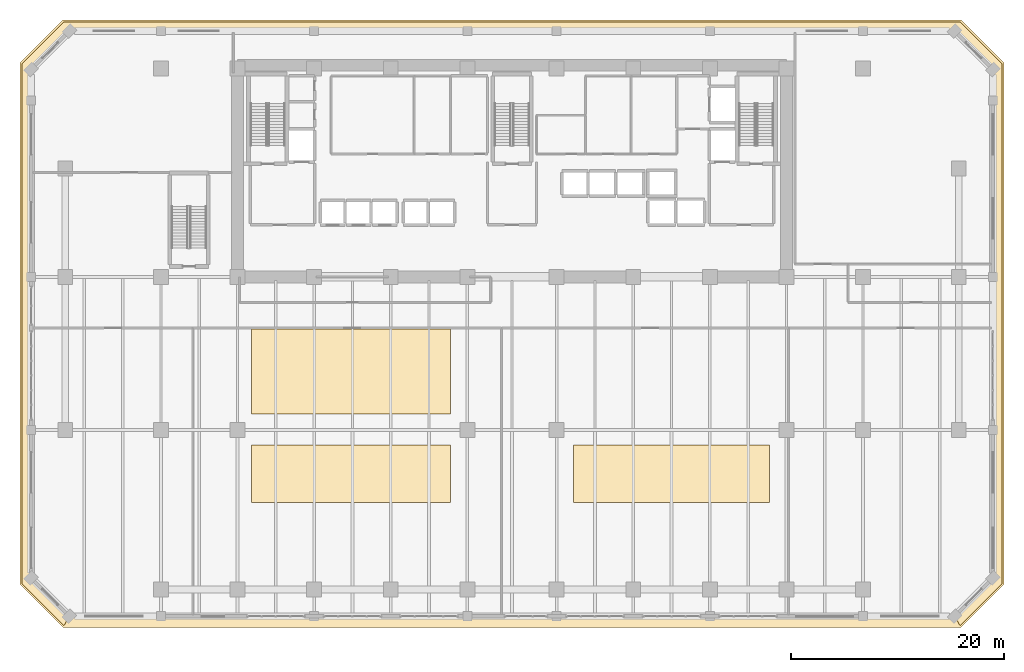
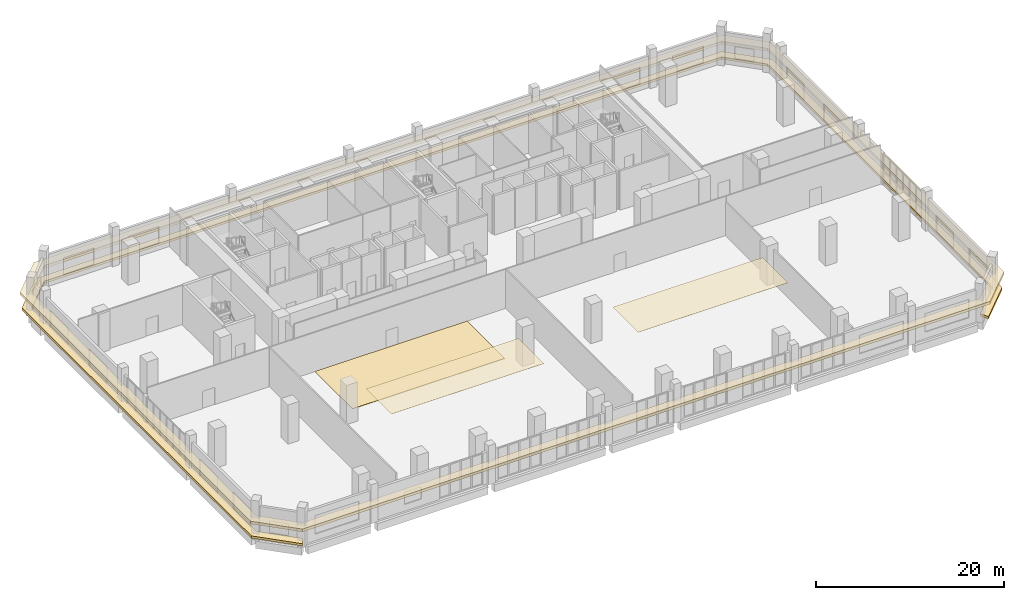
# One storey, part 23 of 25: 5 coverings.
"""IFC4 building model written with IfcOpenShell, lengths in metres."""

from ifc_helpers import new_model, si_unit, direction, frame, origin, place, context, subcontext, project, spatial, polyline, outline, extrude, material, layer, layer_set, type_object, element, save


model = new_model("IFC4")

# Units and contexts
model_context = context("Model", 3, precision=1e-05, world=origin(), true_north=direction((0.0, 1.0)))
body_context = subcontext(model_context, "Body", "Model", "MODEL_VIEW")
ifc_project = project(units=[si_unit("LENGTHUNIT", "METRE"), si_unit("AREAUNIT", "SQUARE_METRE"), si_unit("VOLUMEUNIT", "CUBIC_METRE"), si_unit("PLANEANGLEUNIT", "RADIAN"), si_unit("MASSUNIT", "GRAM", prefix="KILO")], contexts=[model_context])

# Site, building, storey
site_placement = place(None, origin())
site = spatial("IfcSite", under=ifc_project, at=site_placement, CompositionType="ELEMENT")
building_placement = place(site_placement, origin())
building = spatial("IfcBuilding", under=site, at=building_placement, Name="Kaelvorn Grand Hotel", CompositionType="ELEMENT")
storey_placement = place(building_placement, frame((0.0, 0.0, 14.0)))
storey = spatial("IfcBuildingStorey", under=building, at=storey_placement, Name="L02", CompositionType="ELEMENT", Elevation=14.0)

# Coverings
ifc_material_1 = material(Name="Precast concrete C45/55", Category="concrete")
ifc_layer_1 = layer(ifc_material_1, 0.260009765625)
ifc_layer_set_1 = layer_set([ifc_layer_1], Name="Precast concrete C45/55")
covering_type_1 = type_object("IfcCoveringType", Name="COV-BAND-STREAMLINE-HEAD", PredefinedType="CLADDING", material=ifc_layer_set_1)
covering_1_placement = place(storey_placement, frame((0.0, 0.0, 2.419921875)))
element("IfcCovering", 1, at=covering_1_placement, inside=storey, type_object=covering_type_1, Name="L02 Streamline Moderne Wraparound Horizontal Eyebrow Band", PredefinedType="CLADDING", context=body_context, shape_type="SweptSolid", body=[
    extrude(outline(polyline([(-0.2099609375, -3.550048828125), (84.2099609375, -3.550048828125), (88.25, 0.489990234375), (88.25, 49.510009765625), (84.2099609375, 53.550048828125), (-0.2099609375, 53.550048828125), (-4.25, 49.510009765625), (-4.25, 0.489990234375), (-0.2099609375, -3.550048828125)]), holes=[polyline([(0.419921875, -2.469970703125), (83.580078125, -2.469970703125), (87.169921875, 1.1201171875), (87.169921875, 48.8798828125), (83.580078125, 52.469970703125), (0.419921875, 52.469970703125), (-3.169921875, 48.8798828125), (-3.169921875, 1.1201171875), (0.419921875, -2.469970703125)])]), origin(), (0.0, 0.0, 1.0), 0.360107421875),
])
ifc_layer_2 = layer(ifc_material_1, 0.219970703125)
ifc_layer_set_2 = layer_set([ifc_layer_2], Name="Precast concrete C45/55")
covering_type_2 = type_object("IfcCoveringType", Name="COV-BAND-STREAMLINE-SILL", PredefinedType="CLADDING", material=ifc_layer_set_2)
covering_2_placement = place(storey_placement, frame((0.0, 0.0, 0.449951171875)))
element("IfcCovering", 2, at=covering_2_placement, inside=storey, type_object=covering_type_2, Name="L02 Streamline Moderne Wraparound Horizontal Sill Spandrel Band", PredefinedType="CLADDING", context=body_context, shape_type="SweptSolid", body=[
    extrude(outline(polyline([(84.115478515625, -3.3798828125), (88.080078125, 0.58447265625), (88.080078125, 49.41552734375), (84.115478515625, 53.3798828125), (-0.115478515625, 53.3798828125), (-4.080078125, 49.41552734375), (-4.080078125, 0.58447265625), (-0.115478515625, -3.3798828125), (0.41748046875, -2.469970703125), (-3.169921875, 1.11767578125), (-3.169921875, 48.88232421875), (0.41748046875, 52.469970703125), (83.58251953125, 52.469970703125), (87.169921875, 48.88232421875), (87.169921875, 1.11767578125), (83.58251953125, -2.469970703125), (84.115478515625, -3.3798828125)])), origin(), (0.0, 0.0, 1.0), 0.300048828125),
])
ifc_material_2 = material(Name="Acoustic Mineral Fibre Board")
ifc_layer_3 = layer(ifc_material_2, 0.02490234375)
ifc_layer_set_3 = layer_set([ifc_layer_3], Name="Acoustic Mineral Fibre Board")
covering_type_3 = type_object("IfcCoveringType", Name="COV-CEIL-ACOUSTIC-25", PredefinedType="CEILING", material=ifc_layer_set_3)
covering_3_placement = place(storey_placement, frame((0.0, 0.0, 4.37255859375)))
element("IfcCovering", 3, at=covering_3_placement, inside=storey, type_object=covering_type_3, Name="L02 Suspended Acoustic Ceiling Panel 1", PredefinedType="CEILING", context=body_context, shape_type="SweptSolid", body=[
    extrude(outline(polyline([(17.5, 8.199951171875), (36.199951171875, 8.199951171875), (36.199951171875, 13.60009765625), (17.5, 13.60009765625), (17.5, 8.199951171875)])), origin(), (0.0, 0.0, 1.0), 0.02490234375),
])
covering_4_placement = place(storey_placement, frame((0.0, 0.0, 4.37255859375)))
element("IfcCovering", 4, at=covering_4_placement, inside=storey, type_object=covering_type_3, Name="L02 Suspended Acoustic Ceiling Panel 2", PredefinedType="CEILING", context=body_context, shape_type="SweptSolid", body=[
    extrude(outline(polyline([(47.800048828125, 8.199951171875), (66.199951171875, 8.199951171875), (66.199951171875, 13.60009765625), (47.800048828125, 13.60009765625), (47.800048828125, 8.199951171875)])), origin(), (0.0, 0.0, 1.0), 0.02490234375),
])
ifc_material_3 = material(Name="Polished Terrazzo Stone Tile", Category="masonry")
ifc_layer_4 = layer(ifc_material_3, 0.0400390625)
ifc_layer_set_4 = layer_set([ifc_layer_4], Name="Polished Terrazzo Stone Tile")
covering_type_4 = type_object("IfcCoveringType", Name="COV-FLR-TERRAZZO-40", PredefinedType="FLOORING", material=ifc_layer_set_4)
covering_5_placement = place(storey_placement, origin())
element("IfcCovering", 5, at=covering_5_placement, inside=storey, type_object=covering_type_4, Name="L02 Terrazzo Concourse Floor Finish", PredefinedType="FLOORING", context=body_context, shape_type="SweptSolid", body=[
    extrude(outline(polyline([(17.5, 16.5), (36.199951171875, 16.5), (36.199951171875, 24.5), (17.5, 24.5), (17.5, 16.5)])), origin(), (0.0, 0.0, 1.0), 0.0400390625),
])

save(model, "model.ifc")
